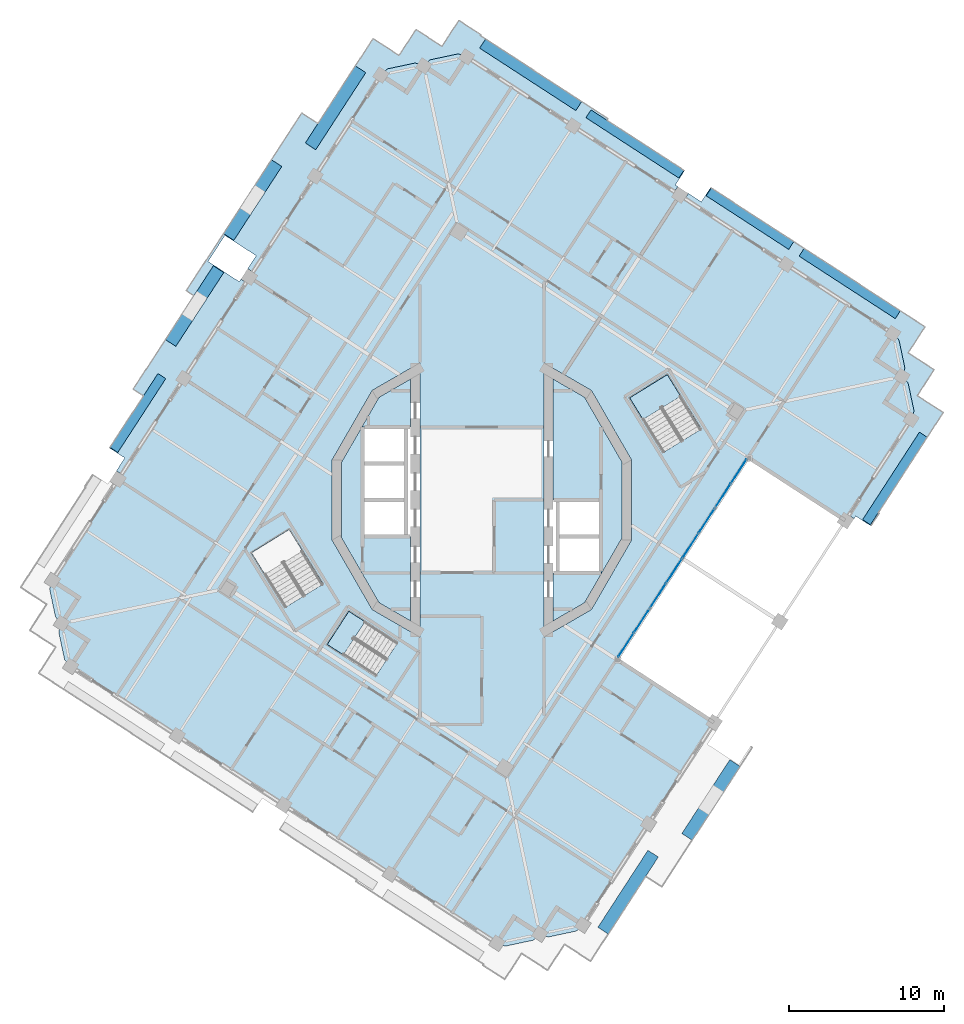
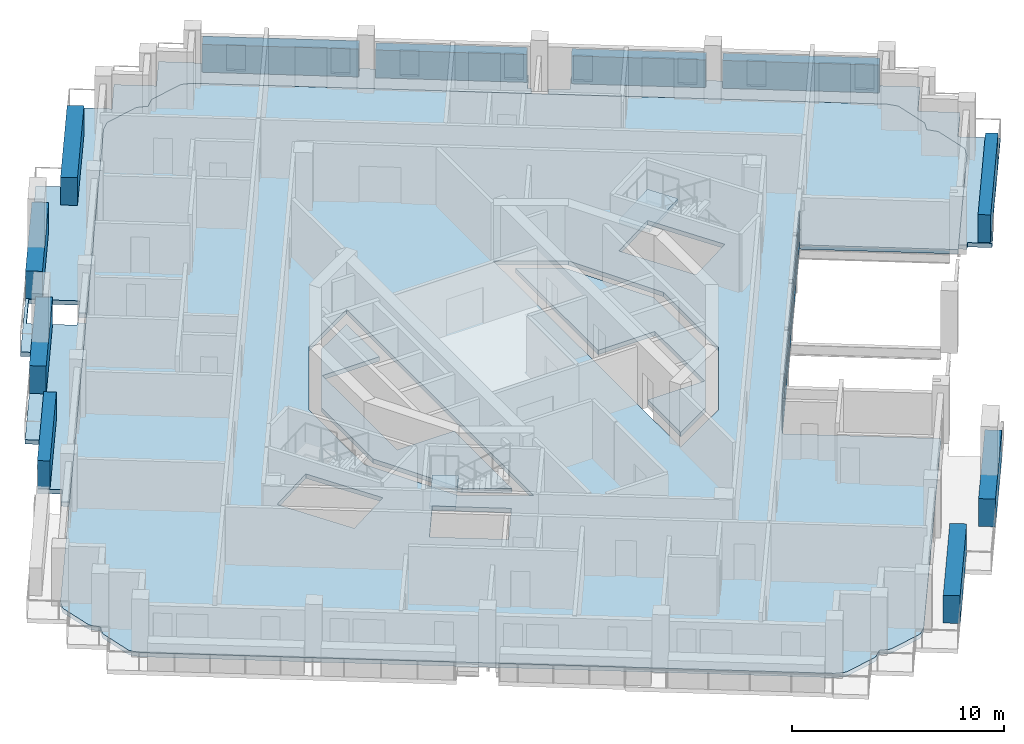
# One storey, part 4 of 17: 27 plates, 7 slabs, 3 elements without a shape of their own.
"""IFC4 building model written with IfcOpenShell, lengths in metres."""

from ifc_helpers import new_model, si_unit, direction, frame, origin, origin_2d, place, context, subcontext, project, spatial, polyline, rectangle, outline, extrude, material, layer, layer_set, type_object, element, aggregate, save


model = new_model("IFC4")

# Units and contexts
model_context = context("Model", 3, precision=1e-05, world=origin(), true_north=direction((0.0, 1.0)))
body_context = subcontext(model_context, "Body", "Model", "MODEL_VIEW")
ifc_project = project(units=[si_unit("LENGTHUNIT", "METRE"), si_unit("AREAUNIT", "SQUARE_METRE"), si_unit("VOLUMEUNIT", "CUBIC_METRE"), si_unit("PLANEANGLEUNIT", "RADIAN"), si_unit("MASSUNIT", "GRAM", prefix="KILO")], contexts=[model_context])

# Site, building, storey
site_placement = place(None, origin())
site = spatial("IfcSite", under=ifc_project, at=site_placement, CompositionType="ELEMENT")
building_placement = place(site_placement, origin())
building = spatial("IfcBuilding", under=site, at=building_placement, Name="Cantera Rosa Tower", CompositionType="ELEMENT")
storey_placement = place(building_placement, frame((0.0, 0.0, 268.5)))
storey = spatial("IfcBuildingStorey", under=building, at=storey_placement, Name="L60", CompositionType="ELEMENT", Elevation=268.5)

# Slabs
ifc_material_1 = material(Name="Concrete C35/45", Category="concrete")
ifc_layer_1 = layer(ifc_material_1, 0.25)
ifc_layer_set_1 = layer_set([ifc_layer_1], Name="COMPOSITE FLOOR SLAB 250 C35/45")
slab_type_1 = type_object("IfcSlabType", Name="COMPOSITE FLOOR SLAB 250 C35/45", PredefinedType="FLOOR", material=ifc_layer_set_1)
slab_1_placement = place(storey_placement, frame((0.0, 0.0, -0.25)))
element("IfcSlab", 1, at=slab_1_placement, inside=storey, type_object=slab_type_1, Name="SLAB L60 floor 1", PredefinedType="FLOOR", context=body_context, shape_type="SweptSolid", body=[
    extrude(outline(polyline([(-7.699951171875, -2.35009765625), (-4.60009765625, -2.35009765625), (-4.60009765625, -7.804931640625), (-6.6318359375, -6.6318359375), (-9.059326171875, -2.427490234375), (-9.059326171875, 2.427490234375), (-6.6318359375, 6.6318359375), (-4.60009765625, 7.804931640625), (-4.60009765625, 4.699951171875), (-7.699951171875, 4.699951171875), (-7.699951171875, 2.35009765625), (-7.699951171875, 0.0), (-7.699951171875, -2.35009765625)])), origin(), (0.0, 0.0, 1.0), 0.25),
])
slab_2_placement = place(storey_placement, frame((0.0, 0.0, -0.25)))
element("IfcSlab", 2, at=slab_2_placement, inside=storey, type_object=slab_type_1, Name="SLAB L60 floor 2", PredefinedType="FLOOR", context=body_context, shape_type="SweptSolid", body=[
    extrude(outline(polyline([(0.982421875, -28.598876953125), (0.106689453125, -28.030029296875), (-25.650146484375, -11.303466796875), (-26.52587890625, -10.734619140625), (-26.852783203125, -10.396240234375), (-26.873046875, -10.374755859375), (-26.890869140625, -10.351318359375), (-26.90625, -10.326416015625), (-26.919189453125, -10.2998046875), (-26.929443359375, -10.272216796875), (-26.93701171875, -10.243896484375), (-27.289794921875, -8.583740234375), (-27.294677734375, -8.5546875), (-27.29638671875, -8.525390625), (-27.29541015625, -8.49609375), (-27.29150390625, -8.466796875), (-27.28466796875, -8.43798828125), (-27.275146484375, -8.410400390625), (-27.114013671875, -7.968017578125), (-27.44091796875, -7.629638671875), (-27.461181640625, -7.608154296875), (-27.47900390625, -7.584716796875), (-27.494384765625, -7.559814453125), (-27.50732421875, -7.533203125), (-27.517578125, -7.505615234375), (-27.525146484375, -7.477294921875), (-27.8779296875, -5.817138671875), (-27.882568359375, -5.7880859375), (-27.884521484375, -5.7587890625), (-27.88330078125, -5.729248046875), (-27.87939453125, -5.7001953125), (-27.872802734375, -5.67138671875), (-27.863037109375, -5.643798828125), (-27.7021484375, -5.201416015625), (-27.13330078125, -4.32568359375), (-7.08447265625, 26.547119140625), (-6.515625, 27.4228515625), (-6.17724609375, 27.749755859375), (-6.15576171875, 27.769775390625), (-6.132080078125, 27.78759765625), (-6.107177734375, 27.802978515625), (-6.080810546875, 27.81591796875), (-6.05322265625, 27.826416015625), (-6.024658203125, 27.833740234375), (-4.36474609375, 28.186767578125), (-4.335693359375, 28.19140625), (-4.306396484375, 28.193115234375), (-4.27685546875, 28.192138671875), (-4.247802734375, 28.188232421875), (-4.218994140625, 28.181396484375), (-4.191162109375, 28.171875), (-3.7490234375, 28.0107421875), (-3.41064453125, 28.337890625), (-3.388916015625, 28.35791015625), (-3.365478515625, 28.375732421875), (-3.340576171875, 28.39111328125), (-3.314208984375, 28.404052734375), (-3.28662109375, 28.414306640625), (-3.258056640625, 28.421875), (-1.59814453125, 28.774658203125), (-1.569091796875, 28.779296875), (-1.539794921875, 28.78125), (-1.51025390625, 28.7802734375), (-1.481201171875, 28.7763671875), (-1.452392578125, 28.76953125), (-1.424560546875, 28.760009765625), (-0.982421875, 28.598876953125), (-0.106689453125, 28.030029296875), (25.650146484375, 11.303466796875), (26.52587890625, 10.734619140625), (26.852783203125, 10.396240234375), (26.873046875, 10.374755859375), (26.890869140625, 10.351318359375), (26.90625, 10.326416015625), (26.919189453125, 10.2998046875), (26.929443359375, 10.272216796875), (26.93701171875, 10.243896484375), (27.289794921875, 8.583740234375), (27.294677734375, 8.5546875), (27.29638671875, 8.525390625), (27.29541015625, 8.49609375), (27.29150390625, 8.466796875), (27.28466796875, 8.43798828125), (27.275146484375, 8.410400390625), (27.114013671875, 7.968017578125), (27.44091796875, 7.629638671875), (27.461181640625, 7.608154296875), (27.47900390625, 7.584716796875), (27.494384765625, 7.559814453125), (27.50732421875, 7.533203125), (27.517578125, 7.505615234375), (27.525146484375, 7.477294921875), (27.8779296875, 5.817138671875), (27.882568359375, 5.7880859375), (27.884521484375, 5.7587890625), (27.88330078125, 5.729248046875), (27.87939453125, 5.7001953125), (27.872802734375, 5.67138671875), (27.863037109375, 5.643798828125), (27.7021484375, 5.201416015625), (27.13330078125, 4.32568359375), (23.46484375, -1.323486328125), (17.1748046875, 2.761474609375), (8.7001953125, -10.288330078125), (14.990234375, -14.373046875), (7.08447265625, -26.547119140625), (6.515625, -27.4228515625), (6.17724609375, -27.749755859375), (6.15576171875, -27.769775390625), (6.132080078125, -27.78759765625), (6.107177734375, -27.802978515625), (6.080810546875, -27.81591796875), (6.05322265625, -27.826416015625), (6.024658203125, -27.833740234375), (4.36474609375, -28.186767578125), (4.335693359375, -28.19140625), (4.306396484375, -28.193115234375), (4.27685546875, -28.192138671875), (4.247802734375, -28.188232421875), (4.218994140625, -28.181396484375), (4.191162109375, -28.171875), (3.7490234375, -28.0107421875), (3.41064453125, -28.337890625), (3.388916015625, -28.35791015625), (3.365478515625, -28.375732421875), (3.340576171875, -28.39111328125), (3.314208984375, -28.404052734375), (3.28662109375, -28.414306640625), (3.258056640625, -28.421875), (1.59814453125, -28.774658203125), (1.569091796875, -28.779296875), (1.539794921875, -28.78125), (1.51025390625, -28.7802734375), (1.481201171875, -28.7763671875), (1.452392578125, -28.76953125), (1.424560546875, -28.760009765625), (0.982421875, -28.598876953125)]), holes=[polyline([(-8.581298828125, -7.1826171875), (-9.97021484375, -9.3212890625), (-6.835205078125, -11.357177734375), (-5.4462890625, -9.218505859375), (-8.581298828125, -7.1826171875)]), polyline([(-12.430908203125, -1.911376953125), (-14.8564453125, -3.407470703125), (-12.68408203125, -6.929443359375), (-10.258544921875, -5.433349609375), (-12.430908203125, -1.911376953125)]), polyline([(-7.071044921875, 7.071044921875), (-9.6591796875, 2.588134765625), (-9.6591796875, -2.588134765625), (-7.071044921875, -7.071044921875), (-4.0, -8.843994140625), (-4.0, 8.843994140625), (-7.071044921875, 7.071044921875)]), polyline([(7.071044921875, -7.071044921875), (9.6591796875, -2.588134765625), (9.6591796875, 2.588134765625), (7.071044921875, 7.071044921875), (4.0, 8.843994140625), (4.0, -8.843994140625), (7.071044921875, -7.071044921875)]), polyline([(14.1416015625, 4.566650390625), (11.96923828125, 8.088623046875), (9.54345703125, 6.592529296875), (11.7158203125, 3.070556640625), (14.1416015625, 4.566650390625)])]), origin(), (0.0, 0.0, 1.0), 0.25),
])
slab_3_placement = place(storey_placement, frame((0.0, 0.0, -0.25)))
element("IfcSlab", 3, at=slab_3_placement, inside=storey, type_object=slab_type_1, Name="SLAB L60 floor 3", PredefinedType="FLOOR", context=body_context, shape_type="SweptSolid", body=[
    extrude(outline(polyline([(7.699951171875, 0.0), (4.60009765625, 0.0), (4.60009765625, 7.804931640625), (6.6318359375, 6.6318359375), (9.059326171875, 2.427490234375), (9.059326171875, -2.427490234375), (6.6318359375, -6.6318359375), (4.60009765625, -7.804931640625), (4.60009765625, -4.699951171875), (7.699951171875, -4.699951171875), (7.699951171875, -2.35009765625), (7.699951171875, 0.0)])), origin(), (0.0, 0.0, 1.0), 0.25),
])

# Curtain wall, plates
ifc_material_2 = material(Name="Aluminium frame with clear glass", Category="aluminium")
curtain_wall_type = type_object("IfcCurtainWallType", Name="CW1 TERRACE POCKET GLAZING", PredefinedType="NOTDEFINED", material=ifc_material_2)
curtain_wall_placement = place(storey_placement, origin())
curtain_wall = element("IfcCurtainWall", 4, at=curtain_wall_placement, inside=storey, type_object=curtain_wall_type, Name="CW1 CW1", PredefinedType="NOTDEFINED")
ifc_material_3 = material(Name="Aluminium frame with clear glass", Category="aluminium")
ifc_layer_2 = layer(ifc_material_3, 0.028076171875)
ifc_layer_set_2 = layer_set([ifc_layer_2], Name="CW-PANEL POCKET")
plate_type_1 = type_object("IfcPlateType", Name="CW-PANEL POCKET", PredefinedType="CURTAIN_PANEL", material=ifc_layer_set_2)
plate_1_placement = place(storey_placement, frame((9.297607421875, -9.368408203125, 0.06005859375), z_axis=(0.0, 0.0, 1.0), x_axis=(0.544639035015, 0.838670567945, 0.0)))
plate_1 = element("IfcPlate", 5, at=plate_1_placement, type_object=plate_type_1, Name="CW1 panel 1.1", PredefinedType="CURTAIN_PANEL", context=body_context, shape_type="SweptSolid", body=[
    extrude(rectangle(XDim=1.82373046875, YDim=0.028076171875, at=origin_2d()), origin(), (0.0, 0.0, 1.0), 0.97412109375),
])
plate_2_placement = place(storey_placement, frame((9.297607421875, -9.368408203125, 1.093994140625), z_axis=(0.0, 0.0, 1.0), x_axis=(0.544639035015, 0.838670567945, 0.0)))
plate_2 = element("IfcPlate", 6, at=plate_2_placement, type_object=plate_type_1, Name="CW1 panel 1.2", PredefinedType="CURTAIN_PANEL", context=body_context, shape_type="SweptSolid", body=[
    extrude(rectangle(XDim=1.82373046875, YDim=0.028076171875, at=origin_2d()), origin(), (0.0, 0.0, 1.0), 0.97412109375),
])
plate_3_placement = place(storey_placement, frame((10.331787109375, -7.77587890625, 0.06005859375), z_axis=(0.0, 0.0, 1.0), x_axis=(0.544639035015, 0.838670567945, 0.0)))
plate_3 = element("IfcPlate", 7, at=plate_3_placement, type_object=plate_type_1, Name="CW1 panel 2.1", PredefinedType="CURTAIN_PANEL", context=body_context, shape_type="SweptSolid", body=[
    extrude(rectangle(XDim=1.853759765625, YDim=0.028076171875, at=origin_2d()), origin(), (0.0, 0.0, 1.0), 0.97412109375),
])
plate_4_placement = place(storey_placement, frame((10.331787109375, -7.77587890625, 1.093994140625), z_axis=(0.0, 0.0, 1.0), x_axis=(0.544639035015, 0.838670567945, 0.0)))
plate_4 = element("IfcPlate", 8, at=plate_4_placement, type_object=plate_type_1, Name="CW1 panel 2.2", PredefinedType="CURTAIN_PANEL", context=body_context, shape_type="SweptSolid", body=[
    extrude(rectangle(XDim=1.853759765625, YDim=0.028076171875, at=origin_2d()), origin(), (0.0, 0.0, 1.0), 0.97412109375),
])
plate_5_placement = place(storey_placement, frame((11.3740234375, -6.1708984375, 0.06005859375), z_axis=(0.0, 0.0, 1.0), x_axis=(0.544639035015, 0.838670567945, 0.0)))
plate_5 = element("IfcPlate", 9, at=plate_5_placement, type_object=plate_type_1, Name="CW1 panel 3.1", PredefinedType="CURTAIN_PANEL", context=body_context, shape_type="SweptSolid", body=[
    extrude(rectangle(XDim=1.853759765625, YDim=0.028076171875, at=origin_2d()), origin(), (0.0, 0.0, 1.0), 0.97412109375),
])
plate_6_placement = place(storey_placement, frame((11.3740234375, -6.1708984375, 1.093994140625), z_axis=(0.0, 0.0, 1.0), x_axis=(0.544639035015, 0.838670567945, 0.0)))
plate_6 = element("IfcPlate", 10, at=plate_6_placement, type_object=plate_type_1, Name="CW1 panel 3.2", PredefinedType="CURTAIN_PANEL", context=body_context, shape_type="SweptSolid", body=[
    extrude(rectangle(XDim=1.853759765625, YDim=0.028076171875, at=origin_2d()), origin(), (0.0, 0.0, 1.0), 0.97412109375),
])
plate_7_placement = place(storey_placement, frame((12.416259765625, -4.56591796875, 0.06005859375), z_axis=(0.0, 0.0, 1.0), x_axis=(0.544639035015, 0.838670567945, 0.0)))
plate_7 = element("IfcPlate", 11, at=plate_7_placement, type_object=plate_type_1, Name="CW1 panel 4.1", PredefinedType="CURTAIN_PANEL", context=body_context, shape_type="SweptSolid", body=[
    extrude(rectangle(XDim=1.853759765625, YDim=0.028076171875, at=origin_2d()), origin(), (0.0, 0.0, 1.0), 0.97412109375),
])
plate_8_placement = place(storey_placement, frame((12.416259765625, -4.56591796875, 1.093994140625), z_axis=(0.0, 0.0, 1.0), x_axis=(0.544639035015, 0.838670567945, 0.0)))
plate_8 = element("IfcPlate", 12, at=plate_8_placement, type_object=plate_type_1, Name="CW1 panel 4.2", PredefinedType="CURTAIN_PANEL", context=body_context, shape_type="SweptSolid", body=[
    extrude(rectangle(XDim=1.853759765625, YDim=0.028076171875, at=origin_2d()), origin(), (0.0, 0.0, 1.0), 0.97412109375),
])
plate_9_placement = place(storey_placement, frame((13.458740234375, -2.9609375, 0.06005859375), z_axis=(0.0, 0.0, 1.0), x_axis=(0.544639035015, 0.838670567945, 0.0)))
plate_9 = element("IfcPlate", 13, at=plate_9_placement, type_object=plate_type_1, Name="CW1 panel 5.1", PredefinedType="CURTAIN_PANEL", context=body_context, shape_type="SweptSolid", body=[
    extrude(rectangle(XDim=1.853759765625, YDim=0.028076171875, at=origin_2d()), origin(), (0.0, 0.0, 1.0), 0.97412109375),
])
plate_10_placement = place(storey_placement, frame((13.458740234375, -2.9609375, 1.093994140625), z_axis=(0.0, 0.0, 1.0), x_axis=(0.544639035015, 0.838670567945, 0.0)))
plate_10 = element("IfcPlate", 14, at=plate_10_placement, type_object=plate_type_1, Name="CW1 panel 5.2", PredefinedType="CURTAIN_PANEL", context=body_context, shape_type="SweptSolid", body=[
    extrude(rectangle(XDim=1.853759765625, YDim=0.028076171875, at=origin_2d()), origin(), (0.0, 0.0, 1.0), 0.97412109375),
])
plate_11_placement = place(storey_placement, frame((14.5009765625, -1.35595703125, 0.06005859375), z_axis=(0.0, 0.0, 1.0), x_axis=(0.544639035015, 0.838670567945, 0.0)))
plate_11 = element("IfcPlate", 15, at=plate_11_placement, type_object=plate_type_1, Name="CW1 panel 6.1", PredefinedType="CURTAIN_PANEL", context=body_context, shape_type="SweptSolid", body=[
    extrude(rectangle(XDim=1.853759765625, YDim=0.028076171875, at=origin_2d()), origin(), (0.0, 0.0, 1.0), 0.97412109375),
])
plate_12_placement = place(storey_placement, frame((14.5009765625, -1.35595703125, 1.093994140625), z_axis=(0.0, 0.0, 1.0), x_axis=(0.544639035015, 0.838670567945, 0.0)))
plate_12 = element("IfcPlate", 16, at=plate_12_placement, type_object=plate_type_1, Name="CW1 panel 6.2", PredefinedType="CURTAIN_PANEL", context=body_context, shape_type="SweptSolid", body=[
    extrude(rectangle(XDim=1.853759765625, YDim=0.028076171875, at=origin_2d()), origin(), (0.0, 0.0, 1.0), 0.97412109375),
])
plate_13_placement = place(storey_placement, frame((15.543212890625, 0.2490234375, 0.06005859375), z_axis=(0.0, 0.0, 1.0), x_axis=(0.544639035015, 0.838670567945, 0.0)))
plate_13 = element("IfcPlate", 17, at=plate_13_placement, type_object=plate_type_1, Name="CW1 panel 7.1", PredefinedType="CURTAIN_PANEL", context=body_context, shape_type="SweptSolid", body=[
    extrude(rectangle(XDim=1.853759765625, YDim=0.028076171875, at=origin_2d()), origin(), (0.0, 0.0, 1.0), 0.97412109375),
])
plate_14_placement = place(storey_placement, frame((15.543212890625, 0.2490234375, 1.093994140625), z_axis=(0.0, 0.0, 1.0), x_axis=(0.544639035015, 0.838670567945, 0.0)))
plate_14 = element("IfcPlate", 18, at=plate_14_placement, type_object=plate_type_1, Name="CW1 panel 7.2", PredefinedType="CURTAIN_PANEL", context=body_context, shape_type="SweptSolid", body=[
    extrude(rectangle(XDim=1.853759765625, YDim=0.028076171875, at=origin_2d()), origin(), (0.0, 0.0, 1.0), 0.97412109375),
])
plate_15_placement = place(storey_placement, frame((16.577392578125, 1.841552734375, 0.06005859375), z_axis=(0.0, 0.0, 1.0), x_axis=(0.544639035015, 0.838670567945, 0.0)))
plate_15 = element("IfcPlate", 19, at=plate_15_placement, type_object=plate_type_1, Name="CW1 panel 8.1", PredefinedType="CURTAIN_PANEL", context=body_context, shape_type="SweptSolid", body=[
    extrude(rectangle(XDim=1.82373046875, YDim=0.028076171875, at=origin_2d()), origin(), (0.0, 0.0, 1.0), 0.97412109375),
])
plate_16_placement = place(storey_placement, frame((16.577392578125, 1.841552734375, 1.093994140625), z_axis=(0.0, 0.0, 1.0), x_axis=(0.544639035015, 0.838670567945, 0.0)))
plate_16 = element("IfcPlate", 20, at=plate_16_placement, type_object=plate_type_1, Name="CW1 panel 8.2", PredefinedType="CURTAIN_PANEL", context=body_context, shape_type="SweptSolid", body=[
    extrude(rectangle(XDim=1.82373046875, YDim=0.028076171875, at=origin_2d()), origin(), (0.0, 0.0, 1.0), 0.97412109375),
])
aggregate(curtain_wall, [plate_1, plate_2, plate_3, plate_4, plate_5, plate_6, plate_7, plate_8, plate_9, plate_10, plate_11, plate_12, plate_13, plate_14, plate_15, plate_16])

# Slabs
ifc_material_4 = material(Name="Concrete C35/45", Category="concrete")
ifc_layer_3 = layer(ifc_material_4, 0.25)
ifc_layer_set_3 = layer_set([ifc_layer_3], Name="LOGGIA SLAB 250 C35/45")
slab_type_2 = type_object("IfcSlabType", Name="LOGGIA SLAB 250 C35/45", PredefinedType="FLOOR", material=ifc_layer_set_3)
slab_4_placement = place(storey_placement, frame((0.0, 0.0, -0.25)))
element("IfcSlab", 21, at=slab_4_placement, inside=storey, type_object=slab_type_2, Name="LOGGIA SLAB L60 2", PredefinedType="FLOOR", context=body_context, shape_type="SweptSolid", body=[
    extrude(outline(polyline([(-18.575927734375, 13.186279296875), (-19.068603515625, 13.506103515625), (-11.619873046875, 24.976318359375), (-10.572998046875, 24.29638671875), (-7.94140625, 28.3486328125), (-7.015380859375, 29.7744140625), (-5.58984375, 28.848388671875), (-5.338134765625, 28.68505859375), (-5.1748046875, 28.936767578125), (-4.248779296875, 30.362548828125), (-2.822998046875, 29.4365234375), (-2.571533203125, 29.273193359375), (-1.482421875, 30.950439453125), (-0.056396484375, 30.024658203125), (-0.0947265625, 29.9658203125), (8.1494140625, 24.612060546875), (8.07861328125, 24.503173828125), (12.330810546875, 21.74169921875), (13.08544921875, 21.251708984375), (12.486328125, 20.3291015625), (12.654296875, 20.22021484375), (12.436279296875, 19.884765625), (-0.106689453125, 28.030029296875), (-0.982421875, 28.598876953125), (-1.424560546875, 28.760009765625), (-1.452392578125, 28.76953125), (-1.481201171875, 28.7763671875), (-1.51025390625, 28.7802734375), (-1.539794921875, 28.78125), (-1.569091796875, 28.779296875), (-1.59814453125, 28.774658203125), (-3.258056640625, 28.421875), (-3.28662109375, 28.414306640625), (-3.314208984375, 28.404052734375), (-3.340576171875, 28.39111328125), (-3.365478515625, 28.375732421875), (-3.388916015625, 28.35791015625), (-3.41064453125, 28.337890625), (-3.7490234375, 28.0107421875), (-4.191162109375, 28.171875), (-4.218994140625, 28.181396484375), (-4.247802734375, 28.188232421875), (-4.27685546875, 28.192138671875), (-4.306396484375, 28.193115234375), (-4.335693359375, 28.19140625), (-4.36474609375, 28.186767578125), (-6.024658203125, 27.833740234375), (-6.05322265625, 27.826416015625), (-6.080810546875, 27.81591796875), (-6.107177734375, 27.802978515625), (-6.132080078125, 27.78759765625), (-6.15576171875, 27.769775390625), (-6.17724609375, 27.749755859375), (-6.515625, 27.4228515625), (-7.08447265625, 26.547119140625), (-14.7724609375, 14.70849609375), (-15.10791015625, 14.926513671875), (-14.563232421875, 15.76513671875), (-16.575927734375, 17.072265625), (-17.665283203125, 15.39501953125), (-15.652587890625, 14.087646484375), (-15.543701171875, 14.255615234375), (-15.2080078125, 14.03759765625), (-23.2470703125, 1.65869140625), (-23.58251953125, 1.876708984375), (-23.037841796875, 2.71533203125), (-24.020263671875, 3.353515625), (-21.831298828125, 6.72412109375), (-22.493408203125, 7.154052734375), (-18.575927734375, 13.186279296875)])), origin(), (0.0, 0.0, 1.0), 0.25),
])
slab_5_placement = place(storey_placement, frame((0.0, 0.0, -0.25)))
element("IfcSlab", 22, at=slab_5_placement, inside=storey, type_object=slab_type_2, Name="LOGGIA SLAB L60 4", PredefinedType="FLOOR", context=body_context, shape_type="SweptSolid", body=[
    extrude(outline(polyline([(21.723876953125, 15.641845703125), (27.343017578125, 11.992919921875), (28.600830078125, 11.17578125), (27.783935546875, 9.917724609375), (27.51171875, 9.49853515625), (27.930908203125, 9.22607421875), (29.18896484375, 8.4091796875), (28.3720703125, 7.151123046875), (28.099609375, 6.731689453125), (28.51904296875, 6.45947265625), (29.777099609375, 5.642578125), (28.960205078125, 4.384521484375), (25.57861328125, -0.822509765625), (25.638671875, -0.861328125), (25.109619140625, -1.676025390625), (24.127197265625, -1.0380859375), (24.01806640625, -1.205810546875), (23.6826171875, -0.98779296875), (27.13330078125, 4.32568359375), (27.7021484375, 5.201416015625), (27.863037109375, 5.643798828125), (27.872802734375, 5.67138671875), (27.87939453125, 5.7001953125), (27.88330078125, 5.729248046875), (27.884521484375, 5.7587890625), (27.882568359375, 5.7880859375), (27.8779296875, 5.817138671875), (27.525146484375, 7.477294921875), (27.517578125, 7.505615234375), (27.50732421875, 7.533203125), (27.494384765625, 7.559814453125), (27.47900390625, 7.584716796875), (27.461181640625, 7.608154296875), (27.44091796875, 7.629638671875), (27.114013671875, 7.968017578125), (27.275146484375, 8.410400390625), (27.28466796875, 8.43798828125), (27.29150390625, 8.466796875), (27.29541015625, 8.49609375), (27.29638671875, 8.525390625), (27.294677734375, 8.5546875), (27.289794921875, 8.583740234375), (26.93701171875, 10.243896484375), (26.929443359375, 10.272216796875), (26.919189453125, 10.2998046875), (26.90625, 10.326416015625), (26.890869140625, 10.351318359375), (26.873046875, 10.374755859375), (26.852783203125, 10.396240234375), (26.52587890625, 10.734619140625), (25.650146484375, 11.303466796875), (13.107421875, 19.448974609375), (13.3251953125, 19.784423828125), (14.163818359375, 19.23974609375), (14.762939453125, 20.162353515625), (14.8466796875, 20.10791015625), (19.207763671875, 17.275634765625), (21.723876953125, 15.641845703125)])), origin(), (0.0, 0.0, 1.0), 0.25),
])

# Plates
ifc_material_5 = material(Name="Cantera stone planter with soil", Category="masonry")
plate_type_2 = type_object("IfcPlateType", Name="PLANTER 600", PredefinedType="USERDEFINED", material=ifc_material_5)
plate_17_placement = place(storey_placement, frame((23.740966796875, 13.97412109375, 0.0), z_axis=(0.0, 0.0, 1.0), x_axis=(-0.838670567945, 0.544639035015, 0.0)))
element("IfcPlate", 23, at=plate_17_placement, inside=storey, type_object=plate_type_2, Name="PLANTER L60-01", ObjectType="PLANTER", PredefinedType="USERDEFINED", context=body_context, shape_type="SweptSolid", body=[
    extrude(rectangle(XDim=7.39990234375, YDim=0.60009765625, at=origin_2d()), origin(), (0.0, 0.0, 1.0), 1.60009765625),
])
plate_18_placement = place(storey_placement, frame((17.30419921875, 18.154296875, 0.0), z_axis=(0.0, 0.0, 1.0), x_axis=(-0.838670567945, 0.544639035015, 0.0)))
element("IfcPlate", 24, at=plate_18_placement, inside=storey, type_object=plate_type_2, Name="PLANTER L60-02", ObjectType="PLANTER", PredefinedType="USERDEFINED", context=body_context, shape_type="SweptSolid", body=[
    extrude(rectangle(XDim=6.35009765625, YDim=0.60009765625, at=origin_2d()), origin(), (0.0, 0.0, 1.0), 1.60009765625),
])
plate_19_placement = place(storey_placement, frame((9.882080078125, 22.974365234375, 0.0), z_axis=(0.0, 0.0, 1.0), x_axis=(-0.838670567945, 0.544639035015, 0.0)))
element("IfcPlate", 25, at=plate_19_placement, inside=storey, type_object=plate_type_2, Name="PLANTER L60-03", ObjectType="PLANTER", PredefinedType="USERDEFINED", context=body_context, shape_type="SweptSolid", body=[
    extrude(rectangle(XDim=7.14990234375, YDim=0.60009765625, at=origin_2d()), origin(), (0.0, 0.0, 1.0), 1.60009765625),
])
plate_20_placement = place(storey_placement, frame((-22.194580078125, 5.61376953125, 0.0), z_axis=(0.0, 0.0, 1.0), x_axis=(-0.544639035015, -0.838670567945, 0.0)))
element("IfcPlate", 26, at=plate_20_placement, inside=storey, type_object=plate_type_2, Name="PLANTER L60-08", ObjectType="PLANTER", PredefinedType="USERDEFINED", context=body_context, shape_type="SweptSolid", body=[
    extrude(rectangle(XDim=5.679931640625, YDim=0.60009765625, at=origin_2d()), origin(), (0.0, 0.0, 1.0), 1.60009765625),
])
plate_21_placement = place(storey_placement, frame((26.657958984375, 1.390380859375, 0.0), z_axis=(0.0, 0.0, 1.0), x_axis=(0.544639035015, 0.838670567945, 0.0)))
element("IfcPlate", 27, at=plate_21_placement, inside=storey, type_object=plate_type_2, Name="PLANTER L60-18", ObjectType="PLANTER", PredefinedType="USERDEFINED", context=body_context, shape_type="SweptSolid", body=[
    extrude(rectangle(XDim=6.72998046875, YDim=0.60009765625, at=origin_2d()), origin(), (0.0, 0.0, 1.0), 1.60009765625),
])
ifc_material_6 = material(Name="Cantera stone planter with soil", Category="masonry")
plate_type_3 = type_object("IfcPlateType", Name="PLANTER 700", PredefinedType="USERDEFINED", material=ifc_material_6)
plate_22_placement = place(storey_placement, frame((3.1533203125, 27.439453125, 0.0), z_axis=(0.0, 0.0, 1.0), x_axis=(-0.838670567945, 0.544639035015, 0.0)))
element("IfcPlate", 28, at=plate_22_placement, inside=storey, type_object=plate_type_3, Name="PLANTER L60-04", ObjectType="PLANTER", PredefinedType="USERDEFINED", context=body_context, shape_type="SweptSolid", body=[
    extrude(rectangle(XDim=7.39990234375, YDim=0.699951171875, at=origin_2d()), origin(), (0.0, 0.0, 1.0), 1.60009765625),
])
ifc_material_7 = material(Name="Cantera stone planter with soil", Category="masonry")
plate_type_4 = type_object("IfcPlateType", Name="PLANTER 800", PredefinedType="USERDEFINED", material=ifc_material_7)
plate_23_placement = place(storey_placement, frame((-9.438720703125, 25.30859375, 0.0), z_axis=(0.0, 0.0, 1.0), x_axis=(-0.544639035015, -0.838670567945, 0.0)))
element("IfcPlate", 29, at=plate_23_placement, inside=storey, type_object=plate_type_4, Name="PLANTER L60-05", ObjectType="PLANTER", PredefinedType="USERDEFINED", context=body_context, shape_type="SweptSolid", body=[
    extrude(rectangle(XDim=5.929931640625, YDim=0.800048828125, at=origin_2d()), origin(), (0.0, 0.0, 1.0), 1.60009765625),
])
for number, where, z_axis, x_axis, name in (
    (30, (-14.790771484375, 19.35888671875, 0.0), (0.0, 0.0, 1.0), (-0.544639035015, -0.838670567945, 0.0), "PLANTER L60-06"),
    (31, (-18.53564453125, 12.51416015625, 0.0), (0.0, 0.0, 1.0), (-0.544639035015, -0.838670567945, 0.0), "PLANTER L60-07"),
):
    element("IfcPlate", number, at=place(storey_placement, frame(where, z_axis=z_axis, x_axis=x_axis)), inside=storey, type_object=plate_type_4, Name=name, ObjectType="PLANTER", PredefinedType="USERDEFINED", context=body_context, shape_type="SweptSolid", body=[
        extrude(rectangle(XDim=5.679931640625, YDim=0.800048828125, at=origin_2d()), origin(), (0.0, 0.0, 1.0), 1.60009765625),
    ])
plate_24_placement = place(storey_placement, frame((9.438720703125, -25.30859375, 0.0), z_axis=(0.0, 0.0, 1.0), x_axis=(0.544639035015, 0.838670567945, 0.0)))
element("IfcPlate", 32, at=plate_24_placement, inside=storey, type_object=plate_type_4, Name="PLANTER L60-14", ObjectType="PLANTER", PredefinedType="USERDEFINED", context=body_context, shape_type="SweptSolid", body=[
    extrude(rectangle(XDim=5.929931640625, YDim=0.800048828125, at=origin_2d()), origin(), (0.0, 0.0, 1.0), 1.60009765625),
])
plate_25_placement = place(storey_placement, frame((14.790771484375, -19.35888671875, 0.0), z_axis=(0.0, 0.0, 1.0), x_axis=(0.544639035015, 0.838670567945, 0.0)))
element("IfcPlate", 33, at=plate_25_placement, inside=storey, type_object=plate_type_4, Name="PLANTER L60-15", ObjectType="PLANTER", PredefinedType="USERDEFINED", context=body_context, shape_type="SweptSolid", body=[
    extrude(rectangle(XDim=5.679931640625, YDim=0.800048828125, at=origin_2d()), origin(), (0.0, 0.0, 1.0), 1.60009765625),
])

# Stair, slab
ifc_material_8 = material(Name="Concrete C35/45", Category="concrete")
stair_type_1 = type_object("IfcStairType", Name="EXIT STAIR 1350 DOGLEG", PredefinedType="HALF_TURN_STAIR", material=ifc_material_8)
stair_1_placement = place(storey_placement, origin())
stair_1 = element("IfcStair", 34, at=stair_1_placement, inside=storey, type_object=stair_type_1, Name="L60 ST-51", PredefinedType="HALF_TURN_STAIR")
ifc_material_9 = material(Name="Concrete C35/45", Category="concrete")
ifc_layer_4 = layer(ifc_material_9, 0.199951171875)
ifc_layer_set_4 = layer_set([ifc_layer_4], Name="STAIR LANDING 200")
slab_type_3 = type_object("IfcSlabType", Name="STAIR LANDING 200", PredefinedType="LANDING", material=ifc_layer_set_4)
slab_6_placement = place(storey_placement, frame((0.0, 0.0, 1.60009765625)))
slab_6 = element("IfcSlab", 35, at=slab_6_placement, type_object=slab_type_3, Name="ST-51 landing 1", PredefinedType="LANDING", context=body_context, shape_type="SweptSolid", body=[
    extrude(outline(polyline([(12.8310546875, 6.691162109375), (11.96923828125, 8.088623046875), (9.54345703125, 6.592529296875), (10.405517578125, 5.19482421875), (12.8310546875, 6.691162109375)])), origin(), (0.0, 0.0, 1.0), 0.199951171875),
])
aggregate(stair_1, [slab_6])

ifc_material_10 = material(Name="Concrete C35/45", Category="concrete")
stair_type_2 = type_object("IfcStairType", Name="EXIT STAIR 1200 DOGLEG", PredefinedType="HALF_TURN_STAIR", material=ifc_material_10)
stair_2_placement = place(storey_placement, origin())
stair_2 = element("IfcStair", 36, at=stair_2_placement, inside=storey, type_object=stair_type_2, Name="L60 ST-53", PredefinedType="HALF_TURN_STAIR")
slab_7_placement = place(storey_placement, frame((0.0, 0.0, 1.60009765625)))
slab_7 = element("IfcSlab", 37, at=slab_7_placement, type_object=slab_type_3, Name="ST-53 landing 1", PredefinedType="LANDING", context=body_context, shape_type="SweptSolid", body=[
    extrude(outline(polyline([(-7.53955078125, -7.859130859375), (-8.581298828125, -7.1826171875), (-9.97021484375, -9.3212890625), (-8.928466796875, -9.997802734375), (-7.53955078125, -7.859130859375)])), origin(), (0.0, 0.0, 1.0), 0.199951171875),
])
aggregate(stair_2, [slab_7])

save(model, "model.ifc")
